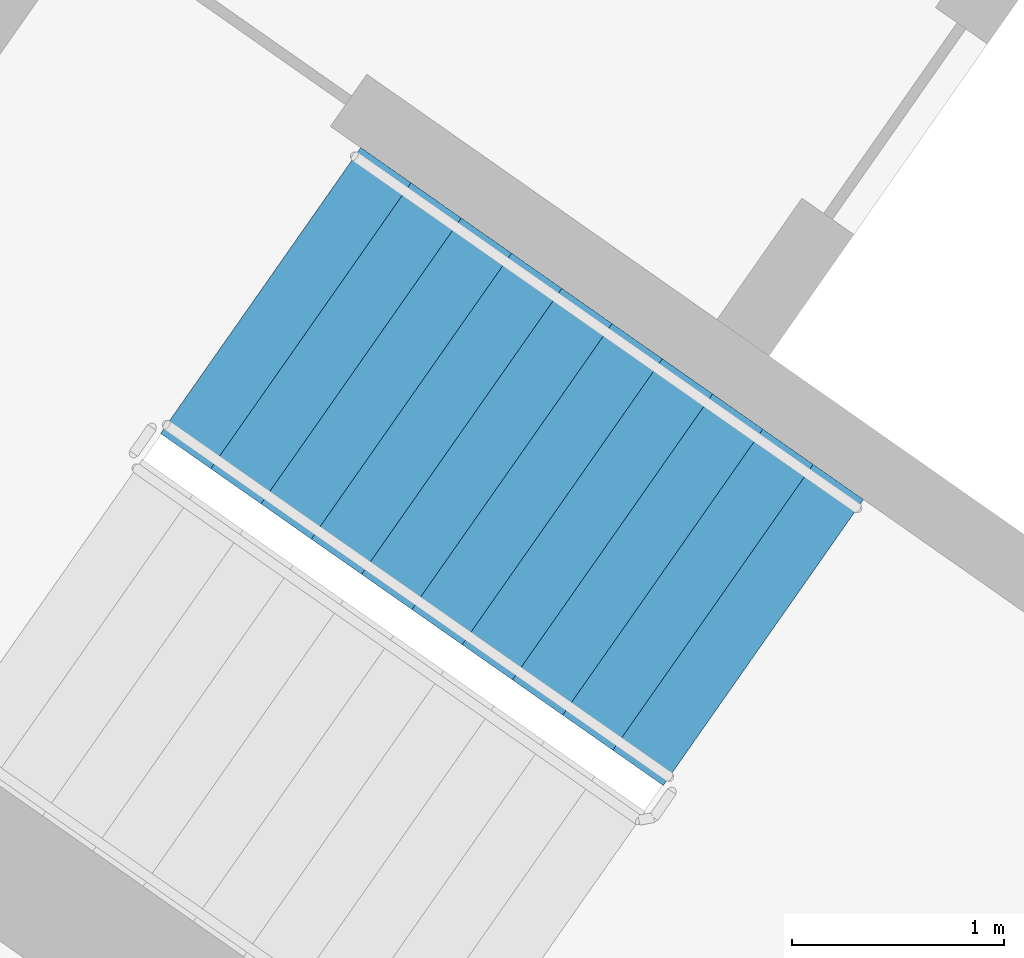
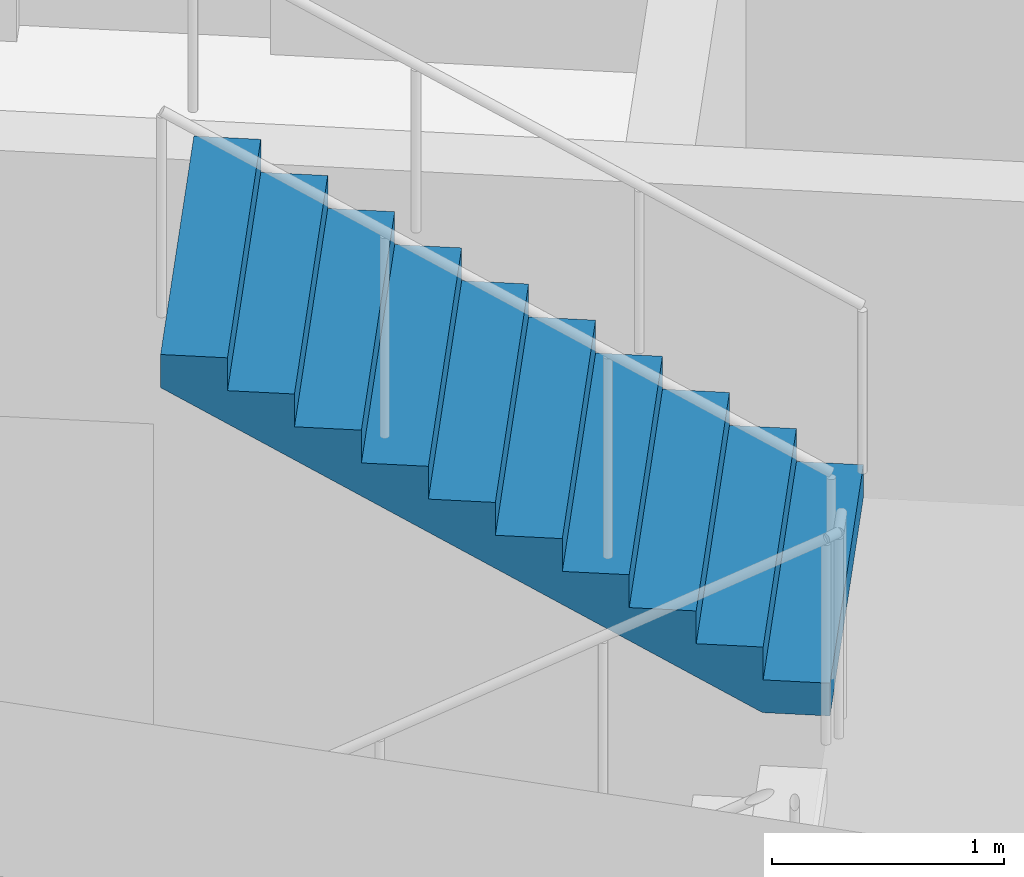
# One storey, part 10 of 28: 1 stair flight, 1 element without a shape of its own.
"""IFC4 building model written with IfcOpenShell, lengths in metres."""

from ifc_helpers import new_model, si_unit, direction, frame, origin, place, context, subcontext, project, spatial, faceted_brep, material, type_object, element, aggregate, save


model = new_model("IFC4")

# Units and contexts
model_context = context("Model", 3, precision=1e-05, world=origin(), true_north=direction((0.0, 1.0)))
body_context = subcontext(model_context, "Body", "Model", "MODEL_VIEW")
ifc_project = project(units=[si_unit("LENGTHUNIT", "METRE"), si_unit("AREAUNIT", "SQUARE_METRE"), si_unit("VOLUMEUNIT", "CUBIC_METRE"), si_unit("PLANEANGLEUNIT", "RADIAN"), si_unit("MASSUNIT", "GRAM", prefix="KILO")], contexts=[model_context])

# Site, building, storey
site_placement = place(None, origin())
site = spatial("IfcSite", under=ifc_project, at=site_placement, CompositionType="ELEMENT")
building_placement = place(site_placement, origin())
building = spatial("IfcBuilding", under=site, at=building_placement, Name="Qamariyya Broadcast Tower", CompositionType="ELEMENT")
storey_placement = place(building_placement, frame((0.0, 0.0, 241.699951171875)))
storey = spatial("IfcBuildingStorey", under=building, at=storey_placement, Name="L58", CompositionType="ELEMENT", Elevation=241.699951171875)

# Stair, stair flight
ifc_material = material(Name="Concrete C50/60", Category="concrete")
stair_type = type_object("IfcStairType", Name="Exit stair 22 risers of 173 mm", PredefinedType="HALF_TURN_STAIR", material=ifc_material)
stair_placement = place(storey_placement, origin())
stair = element("IfcStair", 1, at=stair_placement, inside=storey, type_object=stair_type, Name="L58 Stair W1", PredefinedType="HALF_TURN_STAIR")
stair_flight_type = type_object("IfcStairFlightType", Name="Exit stair flight 11 risers of 173 mm", PredefinedType="STRAIGHT", material=ifc_material)
stair_flight_placement = place(storey_placement, frame((-43.660888671875, -57.17138671875, 1.900146484375), z_axis=(0.0, 0.0, 1.0), x_axis=(-0.819152044289, 0.573576436351, 0.0)))
stair_flight = element("IfcStairFlight", 2, at=stair_flight_placement, type_object=stair_flight_type, Name="ST-W1 flight 2", NumberOfRisers=11, NumberOfTreads=10, PredefinedType="STRAIGHT", RiserHeight=0.172727273, TreadLength=0.29, context=body_context, shape_type="Brep", body=[
    faceted_brep([(0.0, 0.824951171875, 0.0), (0.0, 0.824951171875, 0.172607421875), (0.2900390625, 0.824951171875, 0.172607421875), (0.2900390625, 0.824951171875, 0.345458984375), (0.580078125, 0.824951171875, 0.345458984375), (0.580078125, 0.824951171875, 0.51806640625), (0.8701171875, 0.824951171875, 0.51806640625), (0.8701171875, 0.824951171875, 0.69091796875), (1.159912109375, 0.824951171875, 0.69091796875), (1.159912109375, 0.824951171875, 0.863525390625), (1.449951171875, 0.824951171875, 0.863525390625), (1.449951171875, 0.824951171875, 1.036376953125), (1.739990234375, 0.824951171875, 1.036376953125), (1.739990234375, 0.824951171875, 1.208984375), (2.030029296875, 0.824951171875, 1.208984375), (2.030029296875, 0.824951171875, 1.3818359375), (2.320068359375, 0.824951171875, 1.3818359375), (2.320068359375, 0.824951171875, 1.554443359375), (2.610107421875, 0.824951171875, 1.554443359375), (2.610107421875, 0.824951171875, 1.727294921875), (2.89990234375, 0.824951171875, 1.727294921875), (2.89990234375, 0.824951171875, 1.552734375), (0.29296875, 0.824951171875, 0.0), (0.29296875, -0.824951171875, 0.0), (2.89990234375, -0.824951171875, 1.552734375), (2.89990234375, -0.824951171875, 1.727294921875), (2.610107421875, -0.824951171875, 1.727294921875), (2.610107421875, -0.824951171875, 1.554443359375), (2.320068359375, -0.824951171875, 1.554443359375), (2.320068359375, -0.824951171875, 1.3818359375), (2.030029296875, -0.824951171875, 1.3818359375), (2.030029296875, -0.824951171875, 1.208984375), (1.739990234375, -0.824951171875, 1.208984375), (1.739990234375, -0.824951171875, 1.036376953125), (1.449951171875, -0.824951171875, 1.036376953125), (1.449951171875, -0.824951171875, 0.863525390625), (1.159912109375, -0.824951171875, 0.863525390625), (1.159912109375, -0.824951171875, 0.69091796875), (0.8701171875, -0.824951171875, 0.69091796875), (0.8701171875, -0.824951171875, 0.51806640625), (0.580078125, -0.824951171875, 0.51806640625), (0.580078125, -0.824951171875, 0.345458984375), (0.2900390625, -0.824951171875, 0.345458984375), (0.2900390625, -0.824951171875, 0.172607421875), (0.0, -0.824951171875, 0.172607421875), (0.0, -0.824951171875, 0.0), (0.0, 0.10009765625, 0.0), (0.0, 0.086669921875, 0.0), (0.0, 0.0732421875, 0.0), (0.0, 0.06005859375, 0.0), (0.0, 0.046630859375, 0.0), (0.0, 0.033447265625, 0.0), (0.0, 0.02001953125, 0.0), (0.0, 0.006591796875, 0.0), (0.0, -0.006591796875, 0.0), (0.0, -0.02001953125, 0.0), (0.0, -0.033447265625, 0.0), (0.0, -0.046630859375, 0.0), (0.0, -0.06005859375, 0.0), (0.0, -0.0732421875, 0.0), (0.0, -0.086669921875, 0.0), (0.0, -0.10009765625, 0.0), (0.0, -0.10009765625, 0.172607421875), (0.0, -0.086669921875, 0.172607421875), (0.0, -0.0732421875, 0.172607421875), (0.0, -0.06005859375, 0.172607421875), (0.0, -0.046630859375, 0.172607421875), (0.0, -0.033447265625, 0.172607421875), (0.0, -0.02001953125, 0.172607421875), (0.0, -0.006591796875, 0.172607421875), (0.0, 0.006591796875, 0.172607421875), (0.0, 0.02001953125, 0.172607421875), (0.0, 0.033447265625, 0.172607421875), (0.0, 0.046630859375, 0.172607421875), (0.0, 0.06005859375, 0.172607421875), (0.0, 0.0732421875, 0.172607421875), (0.0, 0.086669921875, 0.172607421875), (0.0, 0.10009765625, 0.172607421875), (0.2900390625, -0.10009765625, 0.172607421875), (0.2900390625, -0.086669921875, 0.172607421875), (0.2900390625, -0.0732421875, 0.172607421875), (0.2900390625, -0.06005859375, 0.172607421875), (0.2900390625, -0.046630859375, 0.172607421875), (0.2900390625, -0.033447265625, 0.172607421875), (0.2900390625, -0.02001953125, 0.172607421875), (0.2900390625, -0.006591796875, 0.172607421875), (0.2900390625, 0.006591796875, 0.172607421875), (0.2900390625, 0.02001953125, 0.172607421875), (0.2900390625, 0.033447265625, 0.172607421875), (0.2900390625, 0.046630859375, 0.172607421875), (0.2900390625, 0.06005859375, 0.172607421875), (0.2900390625, 0.0732421875, 0.172607421875), (0.2900390625, 0.086669921875, 0.172607421875), (0.2900390625, 0.10009765625, 0.172607421875), (0.2900390625, -0.10009765625, 0.345458984375), (0.2900390625, -0.086669921875, 0.345458984375), (0.2900390625, -0.0732421875, 0.345458984375), (0.2900390625, -0.06005859375, 0.345458984375), (0.2900390625, -0.046630859375, 0.345458984375), (0.2900390625, -0.033447265625, 0.345458984375), (0.2900390625, -0.02001953125, 0.345458984375), (0.2900390625, -0.006591796875, 0.345458984375), (0.2900390625, 0.006591796875, 0.345458984375), (0.2900390625, 0.02001953125, 0.345458984375), (0.2900390625, 0.033447265625, 0.345458984375), (0.2900390625, 0.046630859375, 0.345458984375), (0.2900390625, 0.06005859375, 0.345458984375), (0.2900390625, 0.0732421875, 0.345458984375), (0.2900390625, 0.086669921875, 0.345458984375), (0.2900390625, 0.10009765625, 0.345458984375), (0.580078125, -0.10009765625, 0.345458984375), (0.580078125, -0.086669921875, 0.345458984375), (0.580078125, -0.0732421875, 0.345458984375), (0.580078125, -0.06005859375, 0.345458984375), (0.580078125, -0.046630859375, 0.345458984375), (0.580078125, -0.033447265625, 0.345458984375), (0.580078125, -0.02001953125, 0.345458984375), (0.580078125, -0.006591796875, 0.345458984375), (0.580078125, 0.006591796875, 0.345458984375), (0.580078125, 0.02001953125, 0.345458984375), (0.580078125, 0.033447265625, 0.345458984375), (0.580078125, 0.046630859375, 0.345458984375), (0.580078125, 0.06005859375, 0.345458984375), (0.580078125, 0.0732421875, 0.345458984375), (0.580078125, 0.086669921875, 0.345458984375), (0.580078125, 0.10009765625, 0.345458984375), (0.580078125, -0.10009765625, 0.51806640625), (0.580078125, -0.086669921875, 0.51806640625), (0.580078125, -0.0732421875, 0.51806640625), (0.580078125, -0.06005859375, 0.51806640625), (0.580078125, -0.046630859375, 0.51806640625), (0.580078125, -0.033447265625, 0.51806640625), (0.580078125, -0.02001953125, 0.51806640625), (0.580078125, -0.006591796875, 0.51806640625), (0.580078125, 0.006591796875, 0.51806640625), (0.580078125, 0.02001953125, 0.51806640625), (0.580078125, 0.033447265625, 0.51806640625), (0.580078125, 0.046630859375, 0.51806640625), (0.580078125, 0.06005859375, 0.51806640625), (0.580078125, 0.0732421875, 0.51806640625), (0.580078125, 0.086669921875, 0.51806640625), (0.580078125, 0.10009765625, 0.51806640625), (0.8701171875, -0.10009765625, 0.51806640625), (0.8701171875, -0.086669921875, 0.51806640625), (0.8701171875, -0.0732421875, 0.51806640625), (0.8701171875, -0.06005859375, 0.51806640625), (0.8701171875, -0.046630859375, 0.51806640625), (0.8701171875, -0.033447265625, 0.51806640625), (0.8701171875, -0.02001953125, 0.51806640625), (0.8701171875, -0.006591796875, 0.51806640625), (0.8701171875, 0.006591796875, 0.51806640625), (0.8701171875, 0.02001953125, 0.51806640625), (0.8701171875, 0.033447265625, 0.51806640625), (0.8701171875, 0.046630859375, 0.51806640625), (0.8701171875, 0.06005859375, 0.51806640625), (0.8701171875, 0.0732421875, 0.51806640625), (0.8701171875, 0.086669921875, 0.51806640625), (0.8701171875, 0.10009765625, 0.51806640625), (0.8701171875, -0.10009765625, 0.69091796875), (0.8701171875, -0.086669921875, 0.69091796875), (0.8701171875, -0.0732421875, 0.69091796875), (0.8701171875, -0.06005859375, 0.69091796875), (0.8701171875, -0.046630859375, 0.69091796875), (0.8701171875, -0.033447265625, 0.69091796875), (0.8701171875, -0.02001953125, 0.69091796875), (0.8701171875, -0.006591796875, 0.69091796875), (0.8701171875, 0.006591796875, 0.69091796875), (0.8701171875, 0.02001953125, 0.69091796875), (0.8701171875, 0.033447265625, 0.69091796875), (0.8701171875, 0.046630859375, 0.69091796875), (0.8701171875, 0.06005859375, 0.69091796875), (0.8701171875, 0.0732421875, 0.69091796875), (0.8701171875, 0.086669921875, 0.69091796875), (0.8701171875, 0.10009765625, 0.69091796875), (1.159912109375, -0.10009765625, 0.69091796875), (1.159912109375, -0.086669921875, 0.69091796875), (1.159912109375, -0.0732421875, 0.69091796875), (1.159912109375, -0.06005859375, 0.69091796875), (1.159912109375, -0.046630859375, 0.69091796875), (1.159912109375, -0.033447265625, 0.69091796875), (1.159912109375, -0.02001953125, 0.69091796875), (1.159912109375, -0.006591796875, 0.69091796875), (1.159912109375, 0.006591796875, 0.69091796875), (1.159912109375, 0.02001953125, 0.69091796875), (1.159912109375, 0.033447265625, 0.69091796875), (1.159912109375, 0.046630859375, 0.69091796875), (1.159912109375, 0.06005859375, 0.69091796875), (1.159912109375, 0.0732421875, 0.69091796875), (1.159912109375, 0.086669921875, 0.69091796875), (1.159912109375, 0.10009765625, 0.69091796875), (1.159912109375, -0.10009765625, 0.863525390625), (1.159912109375, -0.086669921875, 0.863525390625), (1.159912109375, -0.0732421875, 0.863525390625), (1.159912109375, -0.06005859375, 0.863525390625), (1.159912109375, -0.046630859375, 0.863525390625), (1.159912109375, -0.033447265625, 0.863525390625), (1.159912109375, -0.02001953125, 0.863525390625), (1.159912109375, -0.006591796875, 0.863525390625), (1.159912109375, 0.006591796875, 0.863525390625), (1.159912109375, 0.02001953125, 0.863525390625), (1.159912109375, 0.033447265625, 0.863525390625), (1.159912109375, 0.046630859375, 0.863525390625), (1.159912109375, 0.06005859375, 0.863525390625), (1.159912109375, 0.0732421875, 0.863525390625), (1.159912109375, 0.086669921875, 0.863525390625), (1.159912109375, 0.10009765625, 0.863525390625), (1.449951171875, -0.10009765625, 0.863525390625), (1.449951171875, -0.086669921875, 0.863525390625), (1.449951171875, -0.0732421875, 0.863525390625), (1.449951171875, -0.06005859375, 0.863525390625), (1.449951171875, -0.046630859375, 0.863525390625), (1.449951171875, -0.033447265625, 0.863525390625), (1.449951171875, -0.02001953125, 0.863525390625), (1.449951171875, -0.006591796875, 0.863525390625), (1.449951171875, 0.006591796875, 0.863525390625), (1.449951171875, 0.02001953125, 0.863525390625), (1.449951171875, 0.033447265625, 0.863525390625), (1.449951171875, 0.046630859375, 0.863525390625), (1.449951171875, 0.06005859375, 0.863525390625), (1.449951171875, 0.0732421875, 0.863525390625), (1.449951171875, 0.086669921875, 0.863525390625), (1.449951171875, 0.10009765625, 0.863525390625), (1.449951171875, -0.10009765625, 1.036376953125), (1.449951171875, -0.086669921875, 1.036376953125), (1.449951171875, -0.0732421875, 1.036376953125), (1.449951171875, -0.06005859375, 1.036376953125), (1.449951171875, -0.046630859375, 1.036376953125), (1.449951171875, -0.033447265625, 1.036376953125), (1.449951171875, -0.02001953125, 1.036376953125), (1.449951171875, -0.006591796875, 1.036376953125), (1.449951171875, 0.006591796875, 1.036376953125), (1.449951171875, 0.02001953125, 1.036376953125), (1.449951171875, 0.033447265625, 1.036376953125), (1.449951171875, 0.046630859375, 1.036376953125), (1.449951171875, 0.06005859375, 1.036376953125), (1.449951171875, 0.0732421875, 1.036376953125), (1.449951171875, 0.086669921875, 1.036376953125), (1.449951171875, 0.10009765625, 1.036376953125), (1.739990234375, -0.10009765625, 1.036376953125), (1.739990234375, -0.086669921875, 1.036376953125), (1.739990234375, -0.0732421875, 1.036376953125), (1.739990234375, -0.06005859375, 1.036376953125), (1.739990234375, -0.046630859375, 1.036376953125), (1.739990234375, -0.033447265625, 1.036376953125), (1.739990234375, -0.02001953125, 1.036376953125), (1.739990234375, -0.006591796875, 1.036376953125), (1.739990234375, 0.006591796875, 1.036376953125), (1.739990234375, 0.02001953125, 1.036376953125), (1.739990234375, 0.033447265625, 1.036376953125), (1.739990234375, 0.046630859375, 1.036376953125), (1.739990234375, 0.06005859375, 1.036376953125), (1.739990234375, 0.0732421875, 1.036376953125), (1.739990234375, 0.086669921875, 1.036376953125), (1.739990234375, 0.10009765625, 1.036376953125), (1.739990234375, -0.10009765625, 1.208984375), (1.739990234375, -0.086669921875, 1.208984375), (1.739990234375, -0.0732421875, 1.208984375), (1.739990234375, -0.06005859375, 1.208984375), (1.739990234375, -0.046630859375, 1.208984375), (1.739990234375, -0.033447265625, 1.208984375), (1.739990234375, -0.02001953125, 1.208984375), (1.739990234375, -0.006591796875, 1.208984375), (1.739990234375, 0.006591796875, 1.208984375), (1.739990234375, 0.02001953125, 1.208984375), (1.739990234375, 0.033447265625, 1.208984375), (1.739990234375, 0.046630859375, 1.208984375), (1.739990234375, 0.06005859375, 1.208984375), (1.739990234375, 0.0732421875, 1.208984375), (1.739990234375, 0.086669921875, 1.208984375), (1.739990234375, 0.10009765625, 1.208984375), (2.030029296875, -0.10009765625, 1.208984375), (2.030029296875, -0.086669921875, 1.208984375), (2.030029296875, -0.0732421875, 1.208984375), (2.030029296875, -0.06005859375, 1.208984375), (2.030029296875, -0.046630859375, 1.208984375), (2.030029296875, -0.033447265625, 1.208984375), (2.030029296875, -0.02001953125, 1.208984375), (2.030029296875, -0.006591796875, 1.208984375), (2.030029296875, 0.006591796875, 1.208984375), (2.030029296875, 0.02001953125, 1.208984375), (2.030029296875, 0.033447265625, 1.208984375), (2.030029296875, 0.046630859375, 1.208984375), (2.030029296875, 0.06005859375, 1.208984375), (2.030029296875, 0.0732421875, 1.208984375), (2.030029296875, 0.086669921875, 1.208984375), (2.030029296875, 0.10009765625, 1.208984375), (2.030029296875, -0.10009765625, 1.3818359375), (2.030029296875, -0.086669921875, 1.3818359375), (2.030029296875, -0.0732421875, 1.3818359375), (2.030029296875, -0.06005859375, 1.3818359375), (2.030029296875, -0.046630859375, 1.3818359375), (2.030029296875, -0.033447265625, 1.3818359375), (2.030029296875, -0.02001953125, 1.3818359375), (2.030029296875, -0.006591796875, 1.3818359375), (2.030029296875, 0.006591796875, 1.3818359375), (2.030029296875, 0.02001953125, 1.3818359375), (2.030029296875, 0.033447265625, 1.3818359375), (2.030029296875, 0.046630859375, 1.3818359375), (2.030029296875, 0.06005859375, 1.3818359375), (2.030029296875, 0.0732421875, 1.3818359375), (2.030029296875, 0.086669921875, 1.3818359375), (2.030029296875, 0.10009765625, 1.3818359375), (2.320068359375, -0.10009765625, 1.3818359375), (2.320068359375, -0.086669921875, 1.3818359375), (2.320068359375, -0.0732421875, 1.3818359375), (2.320068359375, -0.06005859375, 1.3818359375), (2.320068359375, -0.046630859375, 1.3818359375), (2.320068359375, -0.033447265625, 1.3818359375), (2.320068359375, -0.02001953125, 1.3818359375), (2.320068359375, -0.006591796875, 1.3818359375), (2.320068359375, 0.006591796875, 1.3818359375), (2.320068359375, 0.02001953125, 1.3818359375), (2.320068359375, 0.033447265625, 1.3818359375), (2.320068359375, 0.046630859375, 1.3818359375), (2.320068359375, 0.06005859375, 1.3818359375), (2.320068359375, 0.0732421875, 1.3818359375), (2.320068359375, 0.086669921875, 1.3818359375), (2.320068359375, 0.10009765625, 1.3818359375), (2.320068359375, -0.10009765625, 1.554443359375), (2.320068359375, -0.086669921875, 1.554443359375), (2.320068359375, -0.0732421875, 1.554443359375), (2.320068359375, -0.06005859375, 1.554443359375), (2.320068359375, -0.046630859375, 1.554443359375), (2.320068359375, -0.033447265625, 1.554443359375), (2.320068359375, -0.02001953125, 1.554443359375), (2.320068359375, -0.006591796875, 1.554443359375), (2.320068359375, 0.006591796875, 1.554443359375), (2.320068359375, 0.02001953125, 1.554443359375), (2.320068359375, 0.033447265625, 1.554443359375), (2.320068359375, 0.046630859375, 1.554443359375), (2.320068359375, 0.06005859375, 1.554443359375), (2.320068359375, 0.0732421875, 1.554443359375), (2.320068359375, 0.086669921875, 1.554443359375), (2.320068359375, 0.10009765625, 1.554443359375), (2.610107421875, -0.10009765625, 1.554443359375), (2.610107421875, -0.086669921875, 1.554443359375), (2.610107421875, -0.0732421875, 1.554443359375), (2.610107421875, -0.06005859375, 1.554443359375), (2.610107421875, -0.046630859375, 1.554443359375), (2.610107421875, -0.033447265625, 1.554443359375), (2.610107421875, -0.02001953125, 1.554443359375), (2.610107421875, -0.006591796875, 1.554443359375), (2.610107421875, 0.006591796875, 1.554443359375), (2.610107421875, 0.02001953125, 1.554443359375), (2.610107421875, 0.033447265625, 1.554443359375), (2.610107421875, 0.046630859375, 1.554443359375), (2.610107421875, 0.06005859375, 1.554443359375), (2.610107421875, 0.0732421875, 1.554443359375), (2.610107421875, 0.086669921875, 1.554443359375), (2.610107421875, 0.10009765625, 1.554443359375), (2.610107421875, -0.10009765625, 1.727294921875), (2.610107421875, -0.086669921875, 1.727294921875), (2.610107421875, -0.0732421875, 1.727294921875), (2.610107421875, -0.06005859375, 1.727294921875), (2.610107421875, -0.046630859375, 1.727294921875), (2.610107421875, -0.033447265625, 1.727294921875), (2.610107421875, -0.02001953125, 1.727294921875), (2.610107421875, -0.006591796875, 1.727294921875), (2.610107421875, 0.006591796875, 1.727294921875), (2.610107421875, 0.02001953125, 1.727294921875), (2.610107421875, 0.033447265625, 1.727294921875), (2.610107421875, 0.046630859375, 1.727294921875), (2.610107421875, 0.06005859375, 1.727294921875), (2.610107421875, 0.0732421875, 1.727294921875), (2.610107421875, 0.086669921875, 1.727294921875), (2.610107421875, 0.10009765625, 1.727294921875), (2.89990234375, -0.10009765625, 1.727294921875), (2.89990234375, -0.086669921875, 1.727294921875), (2.89990234375, -0.0732421875, 1.727294921875), (2.89990234375, -0.06005859375, 1.727294921875), (2.89990234375, -0.046630859375, 1.727294921875), (2.89990234375, -0.033447265625, 1.727294921875), (2.89990234375, -0.02001953125, 1.727294921875), (2.89990234375, -0.006591796875, 1.727294921875), (2.89990234375, 0.006591796875, 1.727294921875), (2.89990234375, 0.02001953125, 1.727294921875), (2.89990234375, 0.033447265625, 1.727294921875), (2.89990234375, 0.046630859375, 1.727294921875), (2.89990234375, 0.06005859375, 1.727294921875), (2.89990234375, 0.0732421875, 1.727294921875), (2.89990234375, 0.086669921875, 1.727294921875), (2.89990234375, 0.10009765625, 1.727294921875), (2.89990234375, -0.10009765625, 1.552734375), (2.89990234375, -0.086669921875, 1.552734375), (2.89990234375, -0.0732421875, 1.552734375), (2.89990234375, -0.06005859375, 1.552734375), (2.89990234375, -0.046630859375, 1.552734375), (2.89990234375, -0.033447265625, 1.552734375), (2.89990234375, -0.02001953125, 1.552734375), (2.89990234375, -0.006591796875, 1.552734375), (2.89990234375, 0.006591796875, 1.552734375), (2.89990234375, 0.02001953125, 1.552734375), (2.89990234375, 0.033447265625, 1.552734375), (2.89990234375, 0.046630859375, 1.552734375), (2.89990234375, 0.06005859375, 1.552734375), (2.89990234375, 0.0732421875, 1.552734375), (2.89990234375, 0.086669921875, 1.552734375), (2.89990234375, 0.10009765625, 1.552734375), (0.29296875, -0.10009765625, 0.0), (0.29296875, -0.086669921875, 0.0), (0.29296875, -0.0732421875, 0.0), (0.29296875, -0.06005859375, 0.0), (0.29296875, -0.046630859375, 0.0), (0.29296875, -0.033447265625, 0.0), (0.29296875, -0.02001953125, 0.0), (0.29296875, -0.006591796875, 0.0), (0.29296875, 0.006591796875, 0.0), (0.29296875, 0.02001953125, 0.0), (0.29296875, 0.033447265625, 0.0), (0.29296875, 0.046630859375, 0.0), (0.29296875, 0.06005859375, 0.0), (0.29296875, 0.0732421875, 0.0), (0.29296875, 0.086669921875, 0.0), (0.29296875, 0.10009765625, 0.0)], [[[0, 1, 2, 3, 4, 5, 6, 7, 8, 9, 10, 11, 12, 13, 14, 15, 16, 17, 18, 19, 20, 21, 22]], [[23, 24, 25, 26, 27, 28, 29, 30, 31, 32, 33, 34, 35, 36, 37, 38, 39, 40, 41, 42, 43, 44, 45]], [[0, 46, 47, 48, 49, 50, 51, 52, 53, 54, 55, 56, 57, 58, 59, 60, 61, 45, 44, 62, 63, 64, 65, 66, 67, 68, 69, 70, 71, 72, 73, 74, 75, 76, 77, 1]], [[1, 77, 76, 75, 74, 73, 72, 71, 70, 69, 68, 67, 66, 65, 64, 63, 62, 44, 43, 78, 79, 80, 81, 82, 83, 84, 85, 86, 87, 88, 89, 90, 91, 92, 93, 2]], [[2, 93, 92, 91, 90, 89, 88, 87, 86, 85, 84, 83, 82, 81, 80, 79, 78, 43, 42, 94, 95, 96, 97, 98, 99, 100, 101, 102, 103, 104, 105, 106, 107, 108, 109, 3]], [[3, 109, 108, 107, 106, 105, 104, 103, 102, 101, 100, 99, 98, 97, 96, 95, 94, 42, 41, 110, 111, 112, 113, 114, 115, 116, 117, 118, 119, 120, 121, 122, 123, 124, 125, 4]], [[4, 125, 124, 123, 122, 121, 120, 119, 118, 117, 116, 115, 114, 113, 112, 111, 110, 41, 40, 126, 127, 128, 129, 130, 131, 132, 133, 134, 135, 136, 137, 138, 139, 140, 141, 5]], [[5, 141, 140, 139, 138, 137, 136, 135, 134, 133, 132, 131, 130, 129, 128, 127, 126, 40, 39, 142, 143, 144, 145, 146, 147, 148, 149, 150, 151, 152, 153, 154, 155, 156, 157, 6]], [[6, 157, 156, 155, 154, 153, 152, 151, 150, 149, 148, 147, 146, 145, 144, 143, 142, 39, 38, 158, 159, 160, 161, 162, 163, 164, 165, 166, 167, 168, 169, 170, 171, 172, 173, 7]], [[7, 173, 172, 171, 170, 169, 168, 167, 166, 165, 164, 163, 162, 161, 160, 159, 158, 38, 37, 174, 175, 176, 177, 178, 179, 180, 181, 182, 183, 184, 185, 186, 187, 188, 189, 8]], [[8, 189, 188, 187, 186, 185, 184, 183, 182, 181, 180, 179, 178, 177, 176, 175, 174, 37, 36, 190, 191, 192, 193, 194, 195, 196, 197, 198, 199, 200, 201, 202, 203, 204, 205, 9]], [[9, 205, 204, 203, 202, 201, 200, 199, 198, 197, 196, 195, 194, 193, 192, 191, 190, 36, 35, 206, 207, 208, 209, 210, 211, 212, 213, 214, 215, 216, 217, 218, 219, 220, 221, 10]], [[10, 221, 220, 219, 218, 217, 216, 215, 214, 213, 212, 211, 210, 209, 208, 207, 206, 35, 34, 222, 223, 224, 225, 226, 227, 228, 229, 230, 231, 232, 233, 234, 235, 236, 237, 11]], [[11, 237, 236, 235, 234, 233, 232, 231, 230, 229, 228, 227, 226, 225, 224, 223, 222, 34, 33, 238, 239, 240, 241, 242, 243, 244, 245, 246, 247, 248, 249, 250, 251, 252, 253, 12]], [[12, 253, 252, 251, 250, 249, 248, 247, 246, 245, 244, 243, 242, 241, 240, 239, 238, 33, 32, 254, 255, 256, 257, 258, 259, 260, 261, 262, 263, 264, 265, 266, 267, 268, 269, 13]], [[13, 269, 268, 267, 266, 265, 264, 263, 262, 261, 260, 259, 258, 257, 256, 255, 254, 32, 31, 270, 271, 272, 273, 274, 275, 276, 277, 278, 279, 280, 281, 282, 283, 284, 285, 14]], [[14, 285, 284, 283, 282, 281, 280, 279, 278, 277, 276, 275, 274, 273, 272, 271, 270, 31, 30, 286, 287, 288, 289, 290, 291, 292, 293, 294, 295, 296, 297, 298, 299, 300, 301, 15]], [[15, 301, 300, 299, 298, 297, 296, 295, 294, 293, 292, 291, 290, 289, 288, 287, 286, 30, 29, 302, 303, 304, 305, 306, 307, 308, 309, 310, 311, 312, 313, 314, 315, 316, 317, 16]], [[16, 317, 316, 315, 314, 313, 312, 311, 310, 309, 308, 307, 306, 305, 304, 303, 302, 29, 28, 318, 319, 320, 321, 322, 323, 324, 325, 326, 327, 328, 329, 330, 331, 332, 333, 17]], [[17, 333, 332, 331, 330, 329, 328, 327, 326, 325, 324, 323, 322, 321, 320, 319, 318, 28, 27, 334, 335, 336, 337, 338, 339, 340, 341, 342, 343, 344, 345, 346, 347, 348, 349, 18]], [[18, 349, 348, 347, 346, 345, 344, 343, 342, 341, 340, 339, 338, 337, 336, 335, 334, 27, 26, 350, 351, 352, 353, 354, 355, 356, 357, 358, 359, 360, 361, 362, 363, 364, 365, 19]], [[19, 365, 364, 363, 362, 361, 360, 359, 358, 357, 356, 355, 354, 353, 352, 351, 350, 26, 25, 366, 367, 368, 369, 370, 371, 372, 373, 374, 375, 376, 377, 378, 379, 380, 381, 20]], [[20, 381, 380, 379, 378, 377, 376, 375, 374, 373, 372, 371, 370, 369, 368, 367, 366, 25, 24, 382, 383, 384, 385, 386, 387, 388, 389, 390, 391, 392, 393, 394, 395, 396, 397, 21]], [[21, 397, 396, 395, 394, 393, 392, 391, 390, 389, 388, 387, 386, 385, 384, 383, 382, 24, 23, 398, 399, 400, 401, 402, 403, 404, 405, 406, 407, 408, 409, 410, 411, 412, 413, 22]], [[22, 413, 412, 411, 410, 409, 408, 407, 406, 405, 404, 403, 402, 401, 400, 399, 398, 23, 45, 61, 60, 59, 58, 57, 56, 55, 54, 53, 52, 51, 50, 49, 48, 47, 46, 0]]]),
])
aggregate(stair, [stair_flight])

save(model, "model.ifc")
